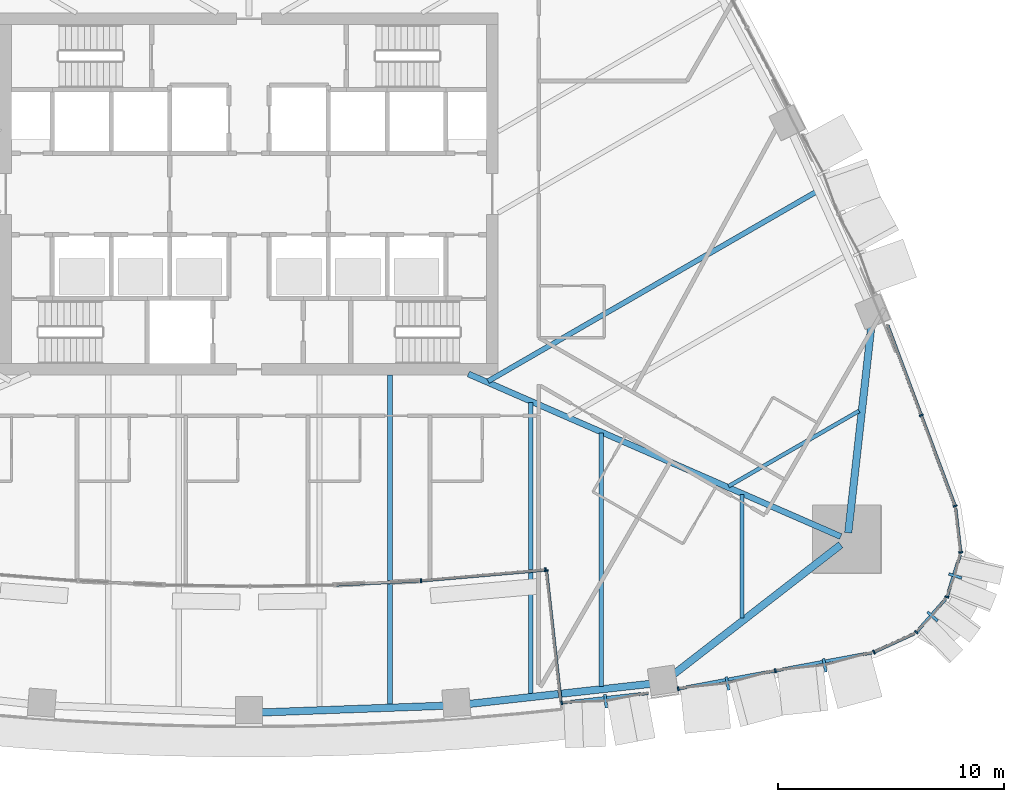
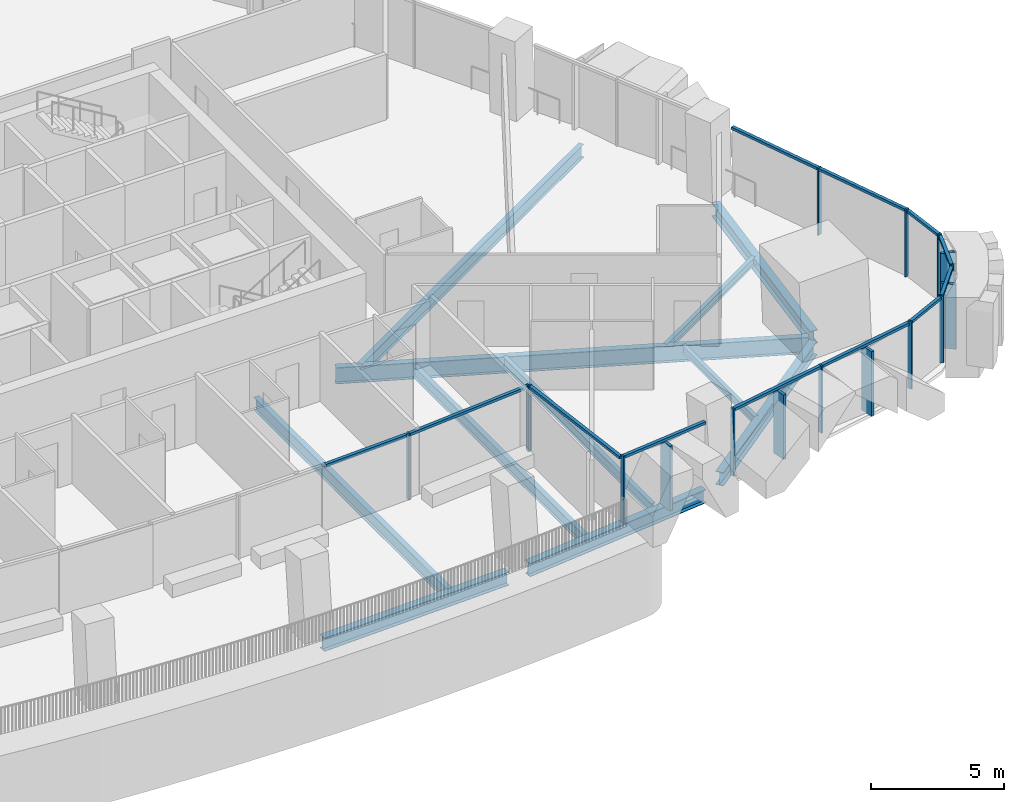
# One storey, part 4 of 22: 29 members, 11 beams, 10 elements without a shape of their own.
"""IFC4 building model written with IfcOpenShell, lengths in metres."""

from ifc_helpers import new_model, si_unit, direction, frame, origin, origin_2d, place, context, subcontext, project, spatial, rectangle, i_section, extrude, material, layer, layer_set, material_profile, profile_set, type_object, element, aggregate, save


model = new_model("IFC4")

# Units and contexts
model_context = context("Model", 3, precision=1e-05, world=origin(), true_north=direction((0.0, 1.0)))
body_context = subcontext(model_context, "Body", "Model", "MODEL_VIEW")
ifc_project = project(units=[si_unit("LENGTHUNIT", "METRE"), si_unit("AREAUNIT", "SQUARE_METRE"), si_unit("VOLUMEUNIT", "CUBIC_METRE"), si_unit("PLANEANGLEUNIT", "RADIAN"), si_unit("MASSUNIT", "GRAM", prefix="KILO")], contexts=[model_context])

# Site, building, storey
site_placement = place(None, origin())
site = spatial("IfcSite", under=ifc_project, at=site_placement, CompositionType="ELEMENT")
building_placement = place(site_placement, origin())
building = spatial("IfcBuilding", under=site, at=building_placement, Name="Sierra Prisma Convention Tower", CompositionType="ELEMENT")
storey_placement = place(building_placement, frame((0.0, 0.0, 73.89990234375)))
storey = spatial("IfcBuildingStorey", under=building, at=storey_placement, Name="L14", CompositionType="ELEMENT", Elevation=73.89990234375)

# Curtain wall, member
ifc_material_1 = material(Name="Aluminium and glass curtain wall", Category="aluminium")
ifc_layer_1 = layer(ifc_material_1, 0.179931640625)
ifc_layer_set_1 = layer_set([ifc_layer_1], Name="CW-2 Faceted crystal curtain wall")
curtain_wall_type_1 = type_object("IfcCurtainWallType", Name="CW-2 Faceted crystal curtain wall", PredefinedType="NOTDEFINED", material=ifc_layer_set_1)
curtain_wall_1_placement = place(storey_placement, origin())
curtain_wall_1 = element("IfcCurtainWall", 1, at=curtain_wall_1_placement, inside=storey, type_object=curtain_wall_type_1, Name="CW-2 S5b L14", PredefinedType="NOTDEFINED")
ifc_material_2 = material(Name="Aluminium 6063-T6 bronze anodised", Category="aluminium")
ifc_material_profile_1 = material_profile(ifc_material_2, rectangle(XDim=0.1201171875, YDim=0.60009765625, at=origin_2d()), Name="ALU RIDGE BLADE 120x600")
ifc_profile_set_1 = profile_set([ifc_material_profile_1], Name="Aluminium 6063-T6 bronze anodised")
member_type_1 = type_object("IfcMemberType", Name="CW hip bronze", PredefinedType="MULLION", material=ifc_profile_set_1)
member_1_placement = place(storey_placement, frame((15.760986328125, -22.424072265625, 0.0), z_axis=(0.0, 0.0, 1.0), x_axis=(0.993929337337, 0.110020327126, 0.0)))
member_1 = element("IfcMember", 2, at=member_1_placement, type_object=member_type_1, Name="CW-2 ridge S5b.1", PredefinedType="MULLION", context=body_context, shape_type="SweptSolid", body=[
    extrude(rectangle(XDim=0.1201171875, YDim=0.60009765625, at=origin_2d()), origin(), (0.0, 0.0, 1.0), 2.97998046875),
])

# Curtain wall, members
curtain_wall_2_placement = place(storey_placement, origin())
curtain_wall_2 = element("IfcCurtainWall", 3, at=curtain_wall_2_placement, inside=storey, type_object=curtain_wall_type_1, Name="CW-2 S6 L14", PredefinedType="NOTDEFINED")
member_2_placement = place(storey_placement, frame((21.14404296875, -21.634521484375, 0.0), z_axis=(0.0, 0.0, 1.0), x_axis=(0.983080978774, 0.183171474777, 0.0)))
member_2 = element("IfcMember", 4, at=member_2_placement, type_object=member_type_1, Name="CW-2 ridge S6.1", PredefinedType="MULLION", context=body_context, shape_type="SweptSolid", body=[
    extrude(rectangle(XDim=0.1201171875, YDim=0.60009765625, at=origin_2d()), origin(), (0.0, 0.0, 1.0), 2.97998046875),
])
member_3_placement = place(storey_placement, frame((25.439453125, -20.834228515625, 0.0), z_axis=(0.0, 0.0, 1.0), x_axis=(0.983080978774, 0.183171474777, 0.0)))
member_3 = element("IfcMember", 5, at=member_3_placement, type_object=member_type_1, Name="CW-2 ridge S6.2", PredefinedType="MULLION", context=body_context, shape_type="SweptSolid", body=[
    extrude(rectangle(XDim=0.1201171875, YDim=0.60009765625, at=origin_2d()), origin(), (0.0, 0.0, 1.0), 2.97998046875),
])

# Curtain wall, member
curtain_wall_3_placement = place(storey_placement, origin())
curtain_wall_3 = element("IfcCurtainWall", 6, at=curtain_wall_3_placement, inside=storey, type_object=curtain_wall_type_1, Name="CW-2 SE2 L14", PredefinedType="NOTDEFINED")
member_4_placement = place(storey_placement, frame((30.2080078125, -18.671875, 0.0), z_axis=(0.0, 0.0, 1.0), x_axis=(0.660568099384, 0.750766132745, 0.0)))
member_4 = element("IfcMember", 7, at=member_4_placement, type_object=member_type_1, Name="CW-2 ridge SE2.1", PredefinedType="MULLION", context=body_context, shape_type="SweptSolid", body=[
    extrude(rectangle(XDim=0.1201171875, YDim=0.60009765625, at=origin_2d()), origin(), (0.0, 0.0, 1.0), 2.97998046875),
])

curtain_wall_4_placement = place(storey_placement, origin())
curtain_wall_4 = element("IfcCurtainWall", 8, at=curtain_wall_4_placement, inside=storey, type_object=curtain_wall_type_1, Name="CW-2 SE3 L14", PredefinedType="NOTDEFINED")
member_5_placement = place(storey_placement, frame((31.21484375, -16.88232421875, 0.0), z_axis=(0.0, 0.0, 1.0), x_axis=(0.29873215808, 0.954336993797, 0.0)))
member_5 = element("IfcMember", 9, at=member_5_placement, type_object=member_type_1, Name="CW-2 ridge SE3.1", PredefinedType="MULLION", context=body_context, shape_type="SweptSolid", body=[
    extrude(rectangle(XDim=0.1201171875, YDim=0.60009765625, at=origin_2d()), origin(), (0.0, 0.0, 1.0), 2.97998046875),
])

# Member
ifc_material_3 = material(Name="Aluminium 6063-T6 bronze anodised", Category="aluminium")
ifc_material_profile_2 = material_profile(ifc_material_3, rectangle(XDim=0.179931640625, YDim=0.070068359375, at=origin_2d()), Name="ALU MULLION 70x180")
ifc_profile_set_2 = profile_set([ifc_material_profile_2], Name="Aluminium 6063-T6 bronze anodised")
member_type_2 = type_object("IfcMemberType", Name="CW mullion bronze", PredefinedType="MULLION", material=ifc_profile_set_2)
member_6_placement = place(storey_placement, frame((13.818115234375, -22.48828125, 0.0), z_axis=(0.0, 0.0, 1.0), x_axis=(-0.110020327126, 0.993929337337, 0.0)))
member_6 = element("IfcMember", 10, at=member_6_placement, type_object=member_type_2, Name="CW-1 mullion S5b.1", PredefinedType="MULLION", context=body_context, shape_type="SweptSolid", body=[
    extrude(rectangle(XDim=0.179931640625, YDim=0.070068359375, at=origin_2d()), origin(), (0.0, 0.0, 1.0), 3.10009765625),
])

member_7_placement = place(storey_placement, frame((18.965576171875, -21.868408203125, 0.0), z_axis=(0.0, 0.0, 1.0), x_axis=(-0.183171474777, 0.983080978774, 0.0)))
member_7 = element("IfcMember", 11, at=member_7_placement, type_object=member_type_2, Name="CW-1 mullion S6.1", PredefinedType="MULLION", context=body_context, shape_type="SweptSolid", body=[
    extrude(rectangle(XDim=0.179931640625, YDim=0.070068359375, at=origin_2d()), origin(), (0.0, 0.0, 1.0), 3.10009765625),
])

member_8_placement = place(storey_placement, frame((23.2607421875, -21.068115234375, 0.0), z_axis=(0.0, 0.0, 1.0), x_axis=(-0.183171474777, 0.983080978774, 0.0)))
member_8 = element("IfcMember", 12, at=member_8_placement, type_object=member_type_2, Name="CW-1 mullion S6.2", PredefinedType="MULLION", context=body_context, shape_type="SweptSolid", body=[
    extrude(rectangle(XDim=0.179931640625, YDim=0.070068359375, at=origin_2d()), origin(), (0.0, 0.0, 1.0), 3.10009765625),
])

# Curtain wall, member
ifc_material_4 = material(Name="Aluminium and glass curtain wall", Category="aluminium")
ifc_layer_2 = layer(ifc_material_4, 0.179931640625)
ifc_layer_set_2 = layer_set([ifc_layer_2], Name="CW-1 Plain shaft curtain wall")
curtain_wall_type_2 = type_object("IfcCurtainWallType", Name="CW-1 Plain shaft curtain wall", PredefinedType="NOTDEFINED", material=ifc_layer_set_2)
curtain_wall_5_placement = place(storey_placement, origin())
curtain_wall_5 = element("IfcCurtainWall", 13, at=curtain_wall_5_placement, inside=storey, type_object=curtain_wall_type_2, Name="CW-1 SE1 L14", PredefinedType="NOTDEFINED")
member_9_placement = place(storey_placement, frame((27.622314453125, -20.246826171875, 0.0), z_axis=(0.0, 0.0, 1.0), x_axis=(-0.41778845826, 0.908544332515, 0.0)))
member_9 = element("IfcMember", 14, at=member_9_placement, type_object=member_type_2, Name="CW-1 mullion SE1.1", PredefinedType="MULLION", context=body_context, shape_type="SweptSolid", body=[
    extrude(rectangle(XDim=0.179931640625, YDim=0.070068359375, at=origin_2d()), origin(), (0.0, 0.0, 1.0), 3.10009765625),
])

# Member
member_10_placement = place(storey_placement, frame((29.491455078125, -19.37158203125, 0.0), z_axis=(0.0, 0.0, 1.0), x_axis=(-0.750766132745, 0.660568099384, 0.0)))
member_10 = element("IfcMember", 15, at=member_10_placement, type_object=member_type_2, Name="CW-1 mullion SE2.1", PredefinedType="MULLION", context=body_context, shape_type="SweptSolid", body=[
    extrude(rectangle(XDim=0.179931640625, YDim=0.070068359375, at=origin_2d()), origin(), (0.0, 0.0, 1.0), 3.10009765625),
])

member_11_placement = place(storey_placement, frame((30.84423828125, -17.8125, 0.0), z_axis=(0.0, 0.0, 1.0), x_axis=(-0.954336993797, 0.29873215808, 0.0)))
member_11 = element("IfcMember", 16, at=member_11_placement, type_object=member_type_2, Name="CW-1 mullion SE3.1", PredefinedType="MULLION", context=body_context, shape_type="SweptSolid", body=[
    extrude(rectangle(XDim=0.179931640625, YDim=0.070068359375, at=origin_2d()), origin(), (0.0, 0.0, 1.0), 3.10009765625),
])

# Curtain wall, member
curtain_wall_6_placement = place(storey_placement, origin())
curtain_wall_6 = element("IfcCurtainWall", 17, at=curtain_wall_6_placement, inside=storey, type_object=curtain_wall_type_2, Name="CW-1 SE4 L14", PredefinedType="NOTDEFINED")
member_12_placement = place(storey_placement, frame((31.447265625, -15.838623046875, 0.0), z_axis=(0.0, 0.0, 1.0), x_axis=(-0.993412276388, -0.114595153131, 0.0)))
member_12 = element("IfcMember", 18, at=member_12_placement, type_object=member_type_2, Name="CW-1 mullion SE4.1", PredefinedType="MULLION", context=body_context, shape_type="SweptSolid", body=[
    extrude(rectangle(XDim=0.179931640625, YDim=0.070068359375, at=origin_2d()), origin(), (0.0, 0.0, 1.0), 3.10009765625),
])

# Curtain wall, members
curtain_wall_7_placement = place(storey_placement, origin())
curtain_wall_7 = element("IfcCurtainWall", 19, at=curtain_wall_7_placement, inside=storey, type_object=curtain_wall_type_2, Name="CW-1 NE1 L14", PredefinedType="NOTDEFINED")
member_13_placement = place(storey_placement, frame((31.2021484375, -13.787353515625, 0.0), z_axis=(0.0, 0.0, 1.0), x_axis=(-0.936900696, -0.349595603284, 0.0)))
member_13 = element("IfcMember", 20, at=member_13_placement, type_object=member_type_2, Name="CW-1 mullion NE1.1", PredefinedType="MULLION", context=body_context, shape_type="SweptSolid", body=[
    extrude(rectangle(XDim=0.179931640625, YDim=0.070068359375, at=origin_2d()), origin(), (0.0, 0.0, 1.0), 3.10009765625),
])
member_14_placement = place(storey_placement, frame((29.706298828125, -9.77880859375, 0.0), z_axis=(0.0, 0.0, 1.0), x_axis=(-0.936900696, -0.349595603284, 0.0)))
member_14 = element("IfcMember", 21, at=member_14_placement, type_object=member_type_2, Name="CW-1 mullion NE1.2", PredefinedType="MULLION", context=body_context, shape_type="SweptSolid", body=[
    extrude(rectangle(XDim=0.179931640625, YDim=0.070068359375, at=origin_2d()), origin(), (0.0, 0.0, 1.0), 3.10009765625),
])

ifc_material_5 = material(Name="Aluminium and glass curtain wall", Category="aluminium")
ifc_layer_3 = layer(ifc_material_5, 0.179931640625)
ifc_layer_set_3 = layer_set([ifc_layer_3], Name="CW-6 Terrace recess curtain wall")
curtain_wall_type_3 = type_object("IfcCurtainWallType", Name="CW-6 Terrace recess curtain wall", PredefinedType="NOTDEFINED", material=ifc_layer_set_3)
curtain_wall_8_placement = place(storey_placement, origin())
curtain_wall_8 = element("IfcCurtainWall", 22, at=curtain_wall_8_placement, inside=storey, type_object=curtain_wall_type_3, Name="CW-6 R39 L14", PredefinedType="NOTDEFINED")
member_15_placement = place(storey_placement, frame((7.597412109375, -17.092041015625, 0.0), z_axis=(0.0, 0.0, 1.0), x_axis=(-0.086946794241, 0.996212956637, 0.0)))
member_15 = element("IfcMember", 23, at=member_15_placement, type_object=member_type_2, Name="CW-6 mullion R39.1", PredefinedType="MULLION", context=body_context, shape_type="SweptSolid", body=[
    extrude(rectangle(XDim=0.179931640625, YDim=0.070068359375, at=origin_2d()), origin(), (0.0, 0.0, 1.0), 3.0400390625),
])
member_16_placement = place(storey_placement, frame((13.09716796875, -16.612060546875, 0.0), z_axis=(0.0, 0.0, 1.0), x_axis=(-0.086946794241, 0.996212956637, 0.0)))
member_16 = element("IfcMember", 24, at=member_16_placement, type_object=member_type_2, Name="CW-6 mullion R39.2", PredefinedType="MULLION", context=body_context, shape_type="SweptSolid", body=[
    extrude(rectangle(XDim=0.179931640625, YDim=0.070068359375, at=origin_2d()), origin(), (0.0, 0.0, 1.0), 3.0400390625),
])

# Curtain wall, member
curtain_wall_9_placement = place(storey_placement, origin())
curtain_wall_9 = element("IfcCurtainWall", 25, at=curtain_wall_9_placement, inside=storey, type_object=curtain_wall_type_3, Name="CW-6 RT2 L14", PredefinedType="NOTDEFINED")
member_17_placement = place(storey_placement, frame((13.135986328125, -16.643798828125, 0.0), z_axis=(0.0, 0.0, 1.0), x_axis=(0.993929337337, 0.110020327126, 0.0)))
member_17 = element("IfcMember", 26, at=member_17_placement, type_object=member_type_2, Name="CW-6 mullion RT2.1", PredefinedType="MULLION", context=body_context, shape_type="SweptSolid", body=[
    extrude(rectangle(XDim=0.179931640625, YDim=0.070068359375, at=origin_2d()), origin(), (0.0, 0.0, 1.0), 3.0400390625),
])

# Member
ifc_material_6 = material(Name="Aluminium 6063-T6 bronze anodised", Category="aluminium")
ifc_material_profile_3 = material_profile(ifc_material_6, rectangle(XDim=0.139892578125, YDim=0.1201171875, at=origin_2d()), Name="ALU TRANSOM 120x140")
ifc_profile_set_3 = profile_set([ifc_material_profile_3], Name="Aluminium 6063-T6 bronze anodised")
member_type_3 = type_object("IfcMemberType", Name="CW transom bronze", PredefinedType="USERDEFINED", material=ifc_profile_set_3)
member_18_placement = place(storey_placement, frame((13.852783203125, -22.484619140625, 3.0400390625), z_axis=(0.993925118802, 0.110058430913, 0.0), x_axis=(-0.110058430913, 0.993925118802, 0.0)))
member_18 = element("IfcMember", 27, at=member_18_placement, type_object=member_type_3, Name="CW-1 transom S5b.1", ObjectType="TRANSOM", PredefinedType="USERDEFINED", context=body_context, shape_type="SweptSolid", body=[
    extrude(rectangle(XDim=0.139892578125, YDim=0.1201171875, at=origin_2d()), origin(), (0.0, 0.0, 1.0), 3.806640625),
])

aggregate(curtain_wall_1, [member_6, member_18, member_1])

member_19_placement = place(storey_placement, frame((18.999755859375, -21.862060546875, 3.0400390625), z_axis=(0.983077289495, 0.183191274024, 0.0), x_axis=(-0.183191274024, 0.983077289495, 0.0)))
member_19 = element("IfcMember", 28, at=member_19_placement, type_object=member_type_3, Name="CW-1 transom S6.1", ObjectType="TRANSOM", PredefinedType="USERDEFINED", context=body_context, shape_type="SweptSolid", body=[
    extrude(rectangle(XDim=0.139892578125, YDim=0.1201171875, at=origin_2d()), origin(), (0.0, 0.0, 1.0), 4.29931640625),
])

member_20_placement = place(storey_placement, frame((23.295166015625, -21.061767578125, 3.0400390625), z_axis=(0.983077289495, 0.183191274024, 0.0), x_axis=(-0.183191274024, 0.983077289495, 0.0)))
member_20 = element("IfcMember", 29, at=member_20_placement, type_object=member_type_3, Name="CW-1 transom S6.2", ObjectType="TRANSOM", PredefinedType="USERDEFINED", context=body_context, shape_type="SweptSolid", body=[
    extrude(rectangle(XDim=0.139892578125, YDim=0.1201171875, at=origin_2d()), origin(), (0.0, 0.0, 1.0), 4.29931640625),
])

aggregate(curtain_wall_2, [member_7, member_8, member_19, member_2, member_20, member_3])

member_21_placement = place(storey_placement, frame((27.654052734375, -20.232177734375, 3.0400390625), z_axis=(0.908522196738, 0.417836592503, 0.0), x_axis=(-0.417836592503, 0.908522196738, 0.0)))
member_21 = element("IfcMember", 30, at=member_21_placement, type_object=member_type_3, Name="CW-1 transom SE1.1", ObjectType="TRANSOM", PredefinedType="USERDEFINED", context=body_context, shape_type="SweptSolid", body=[
    extrude(rectangle(XDim=0.139892578125, YDim=0.1201171875, at=origin_2d()), origin(), (0.0, 0.0, 1.0), 1.927001953125),
])

aggregate(curtain_wall_5, [member_9, member_21])

member_22_placement = place(storey_placement, frame((29.5146484375, -19.34521484375, 3.0400390625), z_axis=(0.660565061326, 0.750768805795, 0.0), x_axis=(-0.750768805795, 0.660565061326, 0.0)))
member_22 = element("IfcMember", 31, at=member_22_placement, type_object=member_type_3, Name="CW-1 transom SE2.1", ObjectType="TRANSOM", PredefinedType="USERDEFINED", context=body_context, shape_type="SweptSolid", body=[
    extrude(rectangle(XDim=0.139892578125, YDim=0.1201171875, at=origin_2d()), origin(), (0.0, 0.0, 1.0), 1.927001953125),
])

aggregate(curtain_wall_3, [member_10, member_22, member_4])

member_23_placement = place(storey_placement, frame((30.854736328125, -17.779296875, 3.0400390625), z_axis=(0.298729411721, 0.954337853474, 0.0), x_axis=(-0.954337853474, 0.298729411721, 0.0)))
member_23 = element("IfcMember", 32, at=member_23_placement, type_object=member_type_3, Name="CW-1 transom SE3.1", ObjectType="TRANSOM", PredefinedType="USERDEFINED", context=body_context, shape_type="SweptSolid", body=[
    extrude(rectangle(XDim=0.139892578125, YDim=0.1201171875, at=origin_2d()), origin(), (0.0, 0.0, 1.0), 1.927001953125),
])

aggregate(curtain_wall_4, [member_11, member_23, member_5])

member_24_placement = place(storey_placement, frame((31.443359375, -15.803955078125, 3.0400390625), z_axis=(-0.114657769595, 0.993405051261, 0.0), x_axis=(-0.993405051261, -0.114657769595, 0.0)))
member_24 = element("IfcMember", 33, at=member_24_placement, type_object=member_type_3, Name="CW-1 transom SE4.1", ObjectType="TRANSOM", PredefinedType="USERDEFINED", context=body_context, shape_type="SweptSolid", body=[
    extrude(rectangle(XDim=0.139892578125, YDim=0.1201171875, at=origin_2d()), origin(), (0.0, 0.0, 1.0), 1.927001953125),
])

aggregate(curtain_wall_6, [member_12, member_24])

member_25_placement = place(storey_placement, frame((31.18994140625, -13.75439453125, 3.0400390625), z_axis=(-0.34958443939, 0.936904861625, 0.0), x_axis=(-0.936904861625, -0.34958443939, 0.0)))
member_25 = element("IfcMember", 34, at=member_25_placement, type_object=member_type_3, Name="CW-1 transom NE1.1", ObjectType="TRANSOM", PredefinedType="USERDEFINED", context=body_context, shape_type="SweptSolid", body=[
    extrude(rectangle(XDim=0.139892578125, YDim=0.1201171875, at=origin_2d()), origin(), (0.0, 0.0, 1.0), 4.20849609375),
])

member_26_placement = place(storey_placement, frame((29.694091796875, -9.745849609375, 3.0400390625), z_axis=(-0.34958443939, 0.936904861625, 0.0), x_axis=(-0.936904861625, -0.34958443939, 0.0)))
member_26 = element("IfcMember", 35, at=member_26_placement, type_object=member_type_3, Name="CW-1 transom NE1.2", ObjectType="TRANSOM", PredefinedType="USERDEFINED", context=body_context, shape_type="SweptSolid", body=[
    extrude(rectangle(XDim=0.139892578125, YDim=0.1201171875, at=origin_2d()), origin(), (0.0, 0.0, 1.0), 4.20849609375),
])

aggregate(curtain_wall_7, [member_13, member_14, member_25, member_26])

# Curtain wall, member
curtain_wall_10_placement = place(storey_placement, origin())
curtain_wall_10 = element("IfcCurtainWall", 36, at=curtain_wall_10_placement, inside=storey, type_object=curtain_wall_type_3, Name="CW-6 R38 L14", PredefinedType="NOTDEFINED")
member_27_placement = place(storey_placement, frame((3.85302734375, -17.271728515625, 2.97998046875), z_axis=(0.998871016085, 0.047504665307, 0.0), x_axis=(-0.047504665307, 0.998871016085, 0.0)))
member_27 = element("IfcMember", 37, at=member_27_placement, type_object=member_type_3, Name="CW-6 transom R38.1", ObjectType="TRANSOM", PredefinedType="USERDEFINED", context=body_context, shape_type="SweptSolid", body=[
    extrude(rectangle(XDim=0.139892578125, YDim=0.1201171875, at=origin_2d()), origin(), (0.0, 0.0, 1.0), 3.643798828125),
])
aggregate(curtain_wall_10, [member_27])

# Member
member_28_placement = place(storey_placement, frame((7.63232421875, -17.089111328125, 2.97998046875), z_axis=(0.996213479658, 0.086940801403, 0.0), x_axis=(-0.086940801403, 0.996213479658, 0.0)))
member_28 = element("IfcMember", 38, at=member_28_placement, type_object=member_type_3, Name="CW-6 transom R39.1", ObjectType="TRANSOM", PredefinedType="USERDEFINED", context=body_context, shape_type="SweptSolid", body=[
    extrude(rectangle(XDim=0.139892578125, YDim=0.1201171875, at=origin_2d()), origin(), (0.0, 0.0, 1.0), 5.45068359375),
])

aggregate(curtain_wall_8, [member_15, member_16, member_28])

member_29_placement = place(storey_placement, frame((13.1396484375, -16.6787109375, 2.97998046875), z_axis=(0.110051302362, -0.993925908128, 0.0), x_axis=(0.993925908128, 0.110051302362, 0.0)))
member_29 = element("IfcMember", 39, at=member_29_placement, type_object=member_type_3, Name="CW-6 transom RT2.1", ObjectType="TRANSOM", PredefinedType="USERDEFINED", context=body_context, shape_type="SweptSolid", body=[
    extrude(rectangle(XDim=0.139892578125, YDim=0.1201171875, at=origin_2d()), origin(), (0.0, 0.0, 1.0), 5.779052734375),
])

aggregate(curtain_wall_9, [member_17, member_29])

# Beams
ifc_material_7 = material(Name="Steel ASTM A992 Gr 50", Category="steel")
ifc_material_profile_4 = material_profile(ifc_material_7, i_section(OverallWidth=0.172119140625, OverallDepth=0.35791015625, WebThickness=0.0078125, FlangeThickness=0.01318359375, at=origin_2d()), Name="W360x57")
ifc_profile_set_4 = profile_set([ifc_material_profile_4], Name="Steel ASTM A992 Gr 50")
beam_type_1 = type_object("IfcBeamType", Name="Floor joist W360x57", PredefinedType="JOIST", material=ifc_profile_set_4)
beam_1_placement = place(storey_placement, frame((21.781982421875, -18.73388671875, -0.328857421875), z_axis=(0.0, 1.0, 0.0), x_axis=(-1.0, 0.0, 0.0)))
element("IfcBeam", 40, at=beam_1_placement, inside=storey, type_object=beam_type_1, Name="Floor joist L14 S16", PredefinedType="JOIST", context=body_context, shape_type="SweptSolid", body=[
    extrude(i_section(OverallWidth=0.172119140625, OverallDepth=0.35791015625, WebThickness=0.0078125, FlangeThickness=0.01318359375, at=origin_2d()), origin(), (0.0, 0.0, 1.0), 5.443603515625),
])
beam_2_placement = place(storey_placement, frame((26.96142578125, -9.585693359375, -0.328857421875), z_axis=(-0.866033637652, -0.499985738252, 0.0), x_axis=(0.499985738252, -0.866033637652, 0.0)))
element("IfcBeam", 41, at=beam_2_placement, inside=storey, type_object=beam_type_1, Name="Floor joist L14 NE02", PredefinedType="JOIST", context=body_context, shape_type="SweptSolid", body=[
    extrude(i_section(OverallWidth=0.172119140625, OverallDepth=0.35791015625, WebThickness=0.0078125, FlangeThickness=0.01318359375, at=origin_2d()), origin(), (0.0, 0.0, 1.0), 6.662353515625),
])
ifc_material_8 = material(Name="Steel ASTM A992 Gr 50", Category="steel")
ifc_material_profile_5 = material_profile(ifc_material_8, i_section(OverallWidth=0.18994140625, OverallDepth=0.45703125, WebThickness=0.009033203125, FlangeThickness=0.014404296875, at=origin_2d()), Name="W460x74")
ifc_profile_set_5 = profile_set([ifc_material_profile_5], Name="Steel ASTM A992 Gr 50")
beam_type_2 = type_object("IfcBeamType", Name="Floor joist W460x74", PredefinedType="JOIST", material=ifc_profile_set_5)
beam_3_placement = place(storey_placement, frame((15.55859375, -21.77783203125, -0.37841796875), z_axis=(0.0, 1.0, 0.0), x_axis=(-1.0, 0.0, 0.0)))
element("IfcBeam", 42, at=beam_3_placement, inside=storey, type_object=beam_type_2, Name="Floor joist L14 S14", PredefinedType="JOIST", context=body_context, shape_type="SweptSolid", body=[
    extrude(i_section(OverallWidth=0.18994140625, OverallDepth=0.45703125, WebThickness=0.009033203125, FlangeThickness=0.014404296875, at=origin_2d()), origin(), (0.0, 0.0, 1.0), 11.205322265625),
])
ifc_material_9 = material(Name="Steel ASTM A992 Gr 50", Category="steel")
ifc_material_profile_6 = material_profile(ifc_material_9, i_section(OverallWidth=0.208984375, OverallDepth=0.532958984375, WebThickness=0.01025390625, FlangeThickness=0.015625, at=origin_2d()), Name="W530x92")
ifc_profile_set_6 = profile_set([ifc_material_profile_6], Name="Steel ASTM A992 Gr 50")
beam_type_3 = type_object("IfcBeamType", Name="Floor joist W530x92", PredefinedType="JOIST", material=ifc_profile_set_6)
beam_4_placement = place(storey_placement, frame((12.447021484375, -22.1220703125, -0.56640625), z_axis=(0.0, 1.0, 0.0), x_axis=(-1.0, 0.0, 0.0)))
element("IfcBeam", 43, at=beam_4_placement, inside=storey, type_object=beam_type_3, Name="Floor joist L14 S13", PredefinedType="JOIST", context=body_context, shape_type="SweptSolid", body=[
    extrude(i_section(OverallWidth=0.208984375, OverallDepth=0.532958984375, WebThickness=0.01025390625, FlangeThickness=0.015625, at=origin_2d()), origin(), (0.0, 0.0, 1.0), 12.908447265625),
])
ifc_material_10 = material(Name="Steel ASTM A992 Gr 50", Category="steel")
ifc_material_profile_7 = material_profile(ifc_material_10, i_section(OverallWidth=0.22802734375, OverallDepth=0.60302734375, WebThickness=0.010498046875, FlangeThickness=0.014892578125, at=origin_2d()), Name="W610x101")
ifc_profile_set_7 = profile_set([ifc_material_profile_7], Name="Steel ASTM A992 Gr 50")
beam_type_4 = type_object("IfcBeamType", Name="Floor joist W610x101", PredefinedType="JOIST", material=ifc_profile_set_7)
beam_5_placement = place(storey_placement, frame((6.223388671875, -22.593994140625, -0.601318359375), z_axis=(0.0, 1.0, 0.0), x_axis=(-1.0, 0.0, 0.0)))
element("IfcBeam", 44, at=beam_5_placement, inside=storey, type_object=beam_type_4, Name="Floor joist L14 S11", PredefinedType="JOIST", context=body_context, shape_type="SweptSolid", body=[
    extrude(i_section(OverallWidth=0.22802734375, OverallDepth=0.60302734375, WebThickness=0.010498046875, FlangeThickness=0.014892578125, at=origin_2d()), origin(), (0.0, 0.0, 1.0), 14.593994140625),
])
beam_6_placement = place(storey_placement, frame((25.0517578125, 0.091064453125, -0.451416015625), z_axis=(-0.86603104707, -0.499990225416, 0.0), x_axis=(0.499990225416, -0.86603104707, 0.0)))
element("IfcBeam", 45, at=beam_6_placement, inside=storey, type_object=beam_type_4, Name="Floor joist L14 NE05", PredefinedType="JOIST", context=body_context, shape_type="SweptSolid", body=[
    extrude(i_section(OverallWidth=0.22802734375, OverallDepth=0.60302734375, WebThickness=0.010498046875, FlangeThickness=0.014892578125, at=origin_2d()), origin(), (0.0, 0.0, 1.0), 16.731689453125),
])
ifc_material_11 = material(Name="Steel ASTM A992 Gr 50", Category="steel")
ifc_material_profile_8 = material_profile(ifc_material_11, i_section(OverallWidth=0.264892578125, OverallDepth=0.7529296875, WebThickness=0.01318359375, FlangeThickness=0.01708984375, at=origin_2d()), Name="W760x147")
ifc_profile_set_8 = profile_set([ifc_material_profile_8], Name="Steel ASTM A992 Gr 50")
beam_type_5 = type_object("IfcBeamType", Name="Radial girder W760x147", PredefinedType="BEAM", material=ifc_profile_set_8)
beam_7_placement = place(storey_placement, frame((26.149658203125, -15.1396484375, -0.5263671875), z_axis=(-0.916430720854, 0.400193370603, 0.0), x_axis=(-0.400193370603, -0.916430720854, 0.0)))
element("IfcBeam", 46, at=beam_7_placement, inside=storey, type_object=beam_type_5, Name="Radial girder L14 SE", PredefinedType="BEAM", context=body_context, shape_type="SweptSolid", body=[
    extrude(i_section(OverallWidth=0.264892578125, OverallDepth=0.7529296875, WebThickness=0.01318359375, FlangeThickness=0.01708984375, at=origin_2d()), origin(), (0.0, 0.0, 1.0), 17.960693359375),
])
ifc_material_12 = material(Name="Steel ASTM A992 Gr 50", Category="steel")
ifc_material_profile_9 = material_profile(ifc_material_12, i_section(OverallWidth=0.324951171875, OverallDepth=0.615966796875, WebThickness=0.013916015625, FlangeThickness=0.021484375, at=origin_2d()), Name="W610x174")
ifc_profile_set_9 = profile_set([ifc_material_profile_9], Name="Steel ASTM A992 Gr 50")
beam_type_6 = type_object("IfcBeamType", Name="Spandrel beam W610x174", PredefinedType="BEAM", material=ifc_profile_set_9)
beam_8_placement = place(storey_placement, frame((0.47998046875, -22.91748046875, -0.60791015625), z_axis=(0.999325415892, 0.036724830198, 0.0), x_axis=(-0.036724830198, 0.999325415892, 0.0)))
element("IfcBeam", 47, at=beam_8_placement, inside=storey, type_object=beam_type_6, Name="Spandrel L14-04", PredefinedType="BEAM", context=body_context, shape_type="SweptSolid", body=[
    extrude(i_section(OverallWidth=0.324951171875, OverallDepth=0.615966796875, WebThickness=0.013916015625, FlangeThickness=0.021484375, at=origin_2d()), origin(), (0.0, 0.0, 1.0), 8.216796875),
])
beam_9_placement = place(storey_placement, frame((9.648681640625, -22.54541015625, -0.60791015625), z_axis=(0.993929254664, 0.110021073996, 0.0), x_axis=(-0.110021073996, 0.993929254664, 0.0)))
element("IfcBeam", 48, at=beam_9_placement, inside=storey, type_object=beam_type_6, Name="Spandrel L14-05", PredefinedType="BEAM", context=body_context, shape_type="SweptSolid", body=[
    extrude(i_section(OverallWidth=0.324951171875, OverallDepth=0.615966796875, WebThickness=0.013916015625, FlangeThickness=0.021484375, at=origin_2d()), origin(), (0.0, 0.0, 1.0), 8.22607421875),
])
beam_10_placement = place(storey_placement, frame((18.75146484375, -21.2392578125, -0.4580078125), z_axis=(0.790299180556, 0.612721148005, 0.0), x_axis=(-0.612721148005, 0.790299180556, 0.0)))
element("IfcBeam", 49, at=beam_10_placement, inside=storey, type_object=beam_type_6, Name="Spandrel L14-06", PredefinedType="BEAM", context=body_context, shape_type="SweptSolid", body=[
    extrude(i_section(OverallWidth=0.324951171875, OverallDepth=0.615966796875, WebThickness=0.013916015625, FlangeThickness=0.021484375, at=origin_2d()), origin(), (0.0, 0.0, 1.0), 9.361328125),
])
beam_11_placement = place(storey_placement, frame((26.483154296875, -14.970703125, -0.4580078125), z_axis=(0.11095861303, 0.993825027957, 0.0), x_axis=(-0.993825027957, 0.11095861303, 0.0)))
element("IfcBeam", 50, at=beam_11_placement, inside=storey, type_object=beam_type_6, Name="Spandrel L14-07", PredefinedType="BEAM", context=body_context, shape_type="SweptSolid", body=[
    extrude(i_section(OverallWidth=0.324951171875, OverallDepth=0.615966796875, WebThickness=0.013916015625, FlangeThickness=0.021484375, at=origin_2d()), origin(), (0.0, 0.0, 1.0), 9.252197265625),
])

save(model, "model.ifc")
